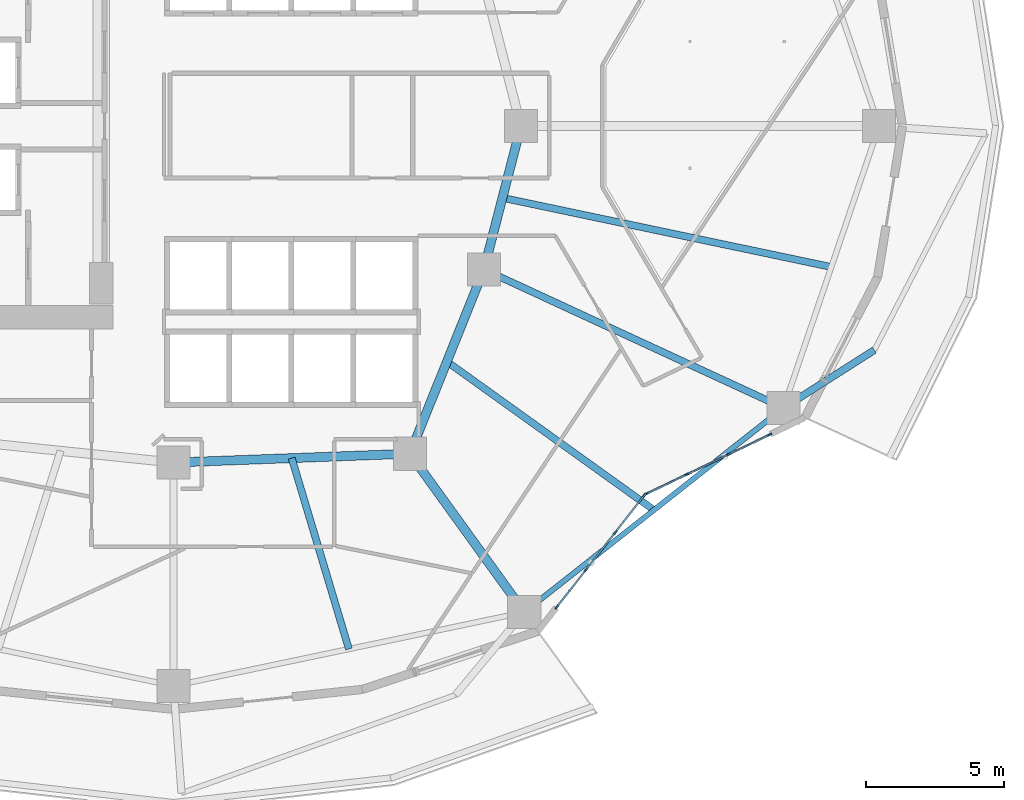
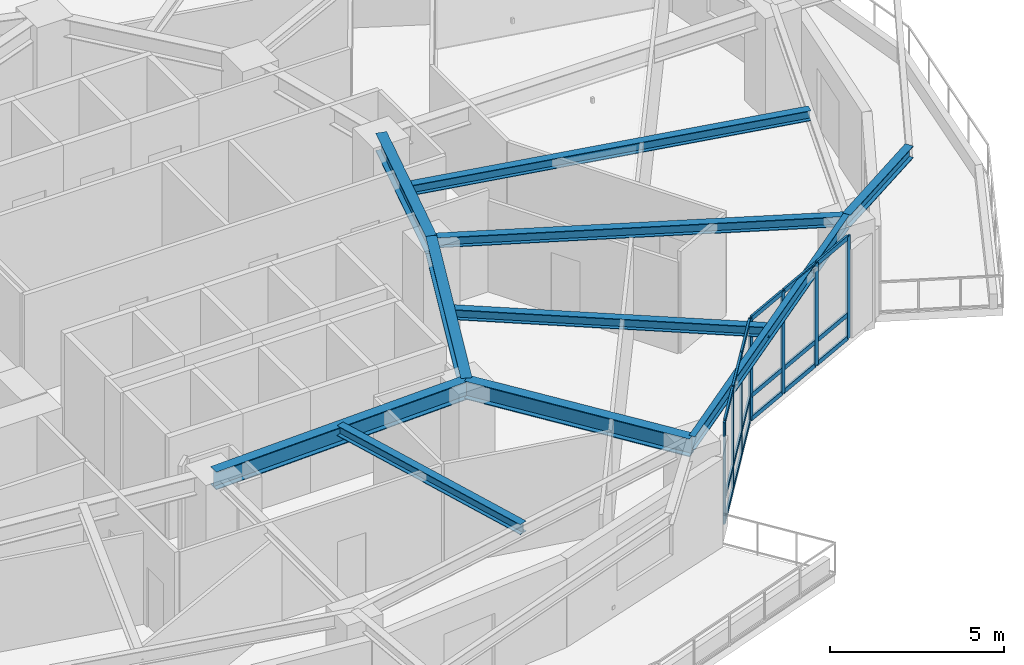
# One storey, part 4 of 18: 26 members, 10 beams, 2 elements without a shape of their own.
"""IFC4 building model written with IfcOpenShell, lengths in metres."""

from ifc_helpers import new_model, si_unit, direction, frame, origin, origin_2d, place, context, subcontext, project, spatial, rectangle, i_section, extrude, material, layer, layer_set, material_profile, profile_set, type_object, element, aggregate, save


model = new_model("IFC4")

# Units and contexts
model_context = context("Model", 3, precision=1e-05, world=origin(), true_north=direction((0.0, 1.0)))
body_context = subcontext(model_context, "Body", "Model", "MODEL_VIEW")
ifc_project = project(units=[si_unit("LENGTHUNIT", "METRE"), si_unit("AREAUNIT", "SQUARE_METRE"), si_unit("VOLUMEUNIT", "CUBIC_METRE"), si_unit("PLANEANGLEUNIT", "RADIAN"), si_unit("MASSUNIT", "GRAM", prefix="KILO")], contexts=[model_context])

# Site, building, storey
site_placement = place(None, origin())
site = spatial("IfcSite", under=ifc_project, at=site_placement, CompositionType="ELEMENT")
building_placement = place(site_placement, origin())
building = spatial("IfcBuilding", under=site, at=building_placement, Name="Kolvaren Gate Tower and Convention Centre", CompositionType="ELEMENT")
storey_placement = place(building_placement, frame((0.0, 0.0, 61.14990234375)))
storey = spatial("IfcBuildingStorey", under=building, at=storey_placement, Name="L14", CompositionType="ELEMENT", Elevation=61.14990234375)

# Curtain wall, members
ifc_material_1 = material(Name="Anodized Architectural Aluminium Alloy 6063-T6", Category="aluminium")
ifc_layer = layer(ifc_material_1, 0.159912109375)
ifc_layer_set = layer_set([ifc_layer], Name="Anodized Architectural Aluminium Alloy 6063-T6")
curtain_wall_type = type_object("IfcCurtainWallType", Name="CW-OFF-UNIT", PredefinedType="NOTDEFINED", material=ifc_layer_set)
curtain_wall_1_placement = place(storey_placement, origin())
curtain_wall_1 = element("IfcCurtainWall", 1, at=curtain_wall_1_placement, inside=storey, type_object=curtain_wall_type, Name="Tower L14 Unitised Curtain Wall CW-OFF-UNIT Bay 20", PredefinedType="NOTDEFINED")
ifc_material_profile_1 = material_profile(ifc_material_1, rectangle(XDim=0.06494140625, YDim=0.159912109375, at=origin_2d()), Name="CW-MEM-MUL-160")
ifc_profile_set_1 = profile_set([ifc_material_profile_1], Name="Anodized Architectural Aluminium Alloy 6063-T6")
member_type_1 = type_object("IfcMemberType", Name="CW-MEM-MUL-160", PredefinedType="MULLION", material=ifc_profile_set_1)
member_1_placement = place(storey_placement, frame((44.027099609375, 9.556396484375, 0.0), z_axis=(0.0, 0.0, 1.0), x_axis=(-0.787406322976, 0.61643432946, 0.0)))
member_1 = element("IfcMember", 2, at=member_1_placement, type_object=member_type_1, Name="CW-02 mullion 1", PredefinedType="MULLION", context=body_context, shape_type="SweptSolid", body=[
    extrude(rectangle(XDim=0.06494140625, YDim=0.159912109375, at=origin_2d()), origin(), (0.0, 0.0, 1.0), 3.570068359375),
])
member_2_placement = place(storey_placement, frame((45.079345703125, 10.900634765625, 0.0), z_axis=(0.0, 0.0, 1.0), x_axis=(-0.787406322976, 0.61643432946, 0.0)))
member_2 = element("IfcMember", 3, at=member_2_placement, type_object=member_type_1, Name="CW-02 mullion 2", PredefinedType="MULLION", context=body_context, shape_type="SweptSolid", body=[
    extrude(rectangle(XDim=0.06494140625, YDim=0.159912109375, at=origin_2d()), origin(), (0.0, 0.0, 1.0), 3.570068359375),
])
member_3_placement = place(storey_placement, frame((46.151611328125, 12.270263671875, 0.0), z_axis=(0.0, 0.0, 1.0), x_axis=(-0.787406322976, 0.61643432946, 0.0)))
member_3 = element("IfcMember", 4, at=member_3_placement, type_object=member_type_1, Name="CW-02 mullion 3", PredefinedType="MULLION", context=body_context, shape_type="SweptSolid", body=[
    extrude(rectangle(XDim=0.06494140625, YDim=0.159912109375, at=origin_2d()), origin(), (0.0, 0.0, 1.0), 3.570068359375),
])
member_4_placement = place(storey_placement, frame((47.203857421875, 13.6142578125, 0.0), z_axis=(0.0, 0.0, 1.0), x_axis=(-0.787406322976, 0.61643432946, 0.0)))
member_4 = element("IfcMember", 5, at=member_4_placement, type_object=member_type_1, Name="CW-02 mullion 4", PredefinedType="MULLION", context=body_context, shape_type="SweptSolid", body=[
    extrude(rectangle(XDim=0.06494140625, YDim=0.159912109375, at=origin_2d()), origin(), (0.0, 0.0, 1.0), 3.570068359375),
])

curtain_wall_2_placement = place(storey_placement, origin())
curtain_wall_2 = element("IfcCurtainWall", 6, at=curtain_wall_2_placement, inside=storey, type_object=curtain_wall_type, Name="Tower L14 Unitised Curtain Wall CW-OFF-UNIT Bay 21", PredefinedType="NOTDEFINED")
member_5_placement = place(storey_placement, frame((47.253173828125, 13.654052734375, 0.0), z_axis=(0.0, 0.0, 1.0), x_axis=(-0.433067077196, 0.901361695796, 0.0)))
member_5 = element("IfcMember", 7, at=member_5_placement, type_object=member_type_1, Name="CW-02 mullion 1", PredefinedType="MULLION", context=body_context, shape_type="SweptSolid", body=[
    extrude(rectangle(XDim=0.06494140625, YDim=0.159912109375, at=origin_2d()), origin(), (0.0, 0.0, 1.0), 3.570068359375),
])
member_6_placement = place(storey_placement, frame((48.7412109375, 14.368896484375, 0.0), z_axis=(0.0, 0.0, 1.0), x_axis=(-0.433067077196, 0.901361695796, 0.0)))
member_6 = element("IfcMember", 8, at=member_6_placement, type_object=member_type_1, Name="CW-02 mullion 2", PredefinedType="MULLION", context=body_context, shape_type="SweptSolid", body=[
    extrude(rectangle(XDim=0.06494140625, YDim=0.159912109375, at=origin_2d()), origin(), (0.0, 0.0, 1.0), 3.570068359375),
])
member_7_placement = place(storey_placement, frame((50.258544921875, 15.097900390625, 0.0), z_axis=(0.0, 0.0, 1.0), x_axis=(-0.433067077196, 0.901361695796, 0.0)))
member_7 = element("IfcMember", 9, at=member_7_placement, type_object=member_type_1, Name="CW-02 mullion 3", PredefinedType="MULLION", context=body_context, shape_type="SweptSolid", body=[
    extrude(rectangle(XDim=0.06494140625, YDim=0.159912109375, at=origin_2d()), origin(), (0.0, 0.0, 1.0), 3.570068359375),
])
member_8_placement = place(storey_placement, frame((51.74658203125, 15.812744140625, 0.0), z_axis=(0.0, 0.0, 1.0), x_axis=(-0.433067077196, 0.901361695796, 0.0)))
member_8 = element("IfcMember", 10, at=member_8_placement, type_object=member_type_1, Name="CW-02 mullion 4", PredefinedType="MULLION", context=body_context, shape_type="SweptSolid", body=[
    extrude(rectangle(XDim=0.06494140625, YDim=0.159912109375, at=origin_2d()), origin(), (0.0, 0.0, 1.0), 3.570068359375),
])

# Member
ifc_material_profile_2 = material_profile(ifc_material_1, rectangle(XDim=0.06494140625, YDim=0.159912109375, at=origin_2d()), Name="CW-MEM-TRN-160")
ifc_profile_set_2 = profile_set([ifc_material_profile_2], Name="Anodized Architectural Aluminium Alloy 6063-T6")
member_type_2 = type_object("IfcMemberType", Name="CW-MEM-TRN-160", PredefinedType="USERDEFINED", material=ifc_profile_set_2)
member_9_placement = place(storey_placement, frame((44.047119140625, 9.58203125, 0.03271484375), z_axis=(0.616428523412, 0.787410868304, 0.0), x_axis=(-0.787410868304, 0.616428523412, 0.0)))
member_9 = element("IfcMember", 11, at=member_9_placement, type_object=member_type_2, Name="CW-02 transom 1.1", ObjectType="TRANSOM", PredefinedType="USERDEFINED", context=body_context, shape_type="SweptSolid", body=[
    extrude(rectangle(XDim=0.06494140625, YDim=0.159912109375, at=origin_2d()), origin(), (0.0, 0.0, 1.0), 1.64208984375),
])

member_10_placement = place(storey_placement, frame((44.047119140625, 9.58203125, 0.85009765625), z_axis=(0.616428523412, 0.787410868304, 0.0), x_axis=(-0.787410868304, 0.616428523412, 0.0)))
member_10 = element("IfcMember", 12, at=member_10_placement, type_object=member_type_2, Name="CW-02 transom 1.2", ObjectType="TRANSOM", PredefinedType="USERDEFINED", context=body_context, shape_type="SweptSolid", body=[
    extrude(rectangle(XDim=0.06494140625, YDim=0.159912109375, at=origin_2d()), origin(), (0.0, 0.0, 1.0), 1.64208984375),
])

member_11_placement = place(storey_placement, frame((44.047119140625, 9.58203125, 3.53759765625), z_axis=(0.616428523412, 0.787410868304, 0.0), x_axis=(-0.787410868304, 0.616428523412, 0.0)))
member_11 = element("IfcMember", 13, at=member_11_placement, type_object=member_type_2, Name="CW-02 transom 1.3", ObjectType="TRANSOM", PredefinedType="USERDEFINED", context=body_context, shape_type="SweptSolid", body=[
    extrude(rectangle(XDim=0.06494140625, YDim=0.159912109375, at=origin_2d()), origin(), (0.0, 0.0, 1.0), 1.64208984375),
])

member_12_placement = place(storey_placement, frame((45.099365234375, 10.92626953125, 0.03271484375), z_axis=(0.616481234943, 0.787369599974, 0.0), x_axis=(-0.787369599974, 0.616481234943, 0.0)))
member_12 = element("IfcMember", 14, at=member_12_placement, type_object=member_type_2, Name="CW-02 transom 2.1", ObjectType="TRANSOM", PredefinedType="USERDEFINED", context=body_context, shape_type="SweptSolid", body=[
    extrude(rectangle(XDim=0.06494140625, YDim=0.159912109375, at=origin_2d()), origin(), (0.0, 0.0, 1.0), 1.67431640625),
])

member_13_placement = place(storey_placement, frame((45.099365234375, 10.92626953125, 0.85009765625), z_axis=(0.616481234943, 0.787369599974, 0.0), x_axis=(-0.787369599974, 0.616481234943, 0.0)))
member_13 = element("IfcMember", 15, at=member_13_placement, type_object=member_type_2, Name="CW-02 transom 2.2", ObjectType="TRANSOM", PredefinedType="USERDEFINED", context=body_context, shape_type="SweptSolid", body=[
    extrude(rectangle(XDim=0.06494140625, YDim=0.159912109375, at=origin_2d()), origin(), (0.0, 0.0, 1.0), 1.67431640625),
])

member_14_placement = place(storey_placement, frame((45.099365234375, 10.92626953125, 3.53759765625), z_axis=(0.616481234943, 0.787369599974, 0.0), x_axis=(-0.787369599974, 0.616481234943, 0.0)))
member_14 = element("IfcMember", 16, at=member_14_placement, type_object=member_type_2, Name="CW-02 transom 2.3", ObjectType="TRANSOM", PredefinedType="USERDEFINED", context=body_context, shape_type="SweptSolid", body=[
    extrude(rectangle(XDim=0.06494140625, YDim=0.159912109375, at=origin_2d()), origin(), (0.0, 0.0, 1.0), 1.67431640625),
])

member_15_placement = place(storey_placement, frame((46.171630859375, 12.2958984375, 0.03271484375), z_axis=(0.61650069609, 0.787354362228, 0.0), x_axis=(-0.787354362228, 0.61650069609, 0.0)))
member_15 = element("IfcMember", 17, at=member_15_placement, type_object=member_type_2, Name="CW-02 transom 3.1", ObjectType="TRANSOM", PredefinedType="USERDEFINED", context=body_context, shape_type="SweptSolid", body=[
    extrude(rectangle(XDim=0.06494140625, YDim=0.159912109375, at=origin_2d()), origin(), (0.0, 0.0, 1.0), 1.641845703125),
])

member_16_placement = place(storey_placement, frame((46.171630859375, 12.2958984375, 0.85009765625), z_axis=(0.61650069609, 0.787354362228, 0.0), x_axis=(-0.787354362228, 0.61650069609, 0.0)))
member_16 = element("IfcMember", 18, at=member_16_placement, type_object=member_type_2, Name="CW-02 transom 3.2", ObjectType="TRANSOM", PredefinedType="USERDEFINED", context=body_context, shape_type="SweptSolid", body=[
    extrude(rectangle(XDim=0.06494140625, YDim=0.159912109375, at=origin_2d()), origin(), (0.0, 0.0, 1.0), 1.641845703125),
])

member_17_placement = place(storey_placement, frame((46.171630859375, 12.2958984375, 3.53759765625), z_axis=(0.61650069609, 0.787354362228, 0.0), x_axis=(-0.787354362228, 0.61650069609, 0.0)))
member_17 = element("IfcMember", 19, at=member_17_placement, type_object=member_type_2, Name="CW-02 transom 3.3", ObjectType="TRANSOM", PredefinedType="USERDEFINED", context=body_context, shape_type="SweptSolid", body=[
    extrude(rectangle(XDim=0.06494140625, YDim=0.159912109375, at=origin_2d()), origin(), (0.0, 0.0, 1.0), 1.641845703125),
])

aggregate(curtain_wall_1, [member_1, member_2, member_3, member_4, member_9, member_10, member_11, member_12, member_13, member_14, member_15, member_16, member_17])

member_18_placement = place(storey_placement, frame((47.282470703125, 13.66796875, 0.03271484375), z_axis=(0.90136684843, 0.433056352628, 0.0), x_axis=(-0.433056352628, 0.90136684843, 0.0)))
member_18 = element("IfcMember", 20, at=member_18_placement, type_object=member_type_2, Name="CW-02 transom 1.1", ObjectType="TRANSOM", PredefinedType="USERDEFINED", context=body_context, shape_type="SweptSolid", body=[
    extrude(rectangle(XDim=0.06494140625, YDim=0.159912109375, at=origin_2d()), origin(), (0.0, 0.0, 1.0), 1.5859375),
])

member_19_placement = place(storey_placement, frame((47.282470703125, 13.66796875, 0.85009765625), z_axis=(0.90136684843, 0.433056352628, 0.0), x_axis=(-0.433056352628, 0.90136684843, 0.0)))
member_19 = element("IfcMember", 21, at=member_19_placement, type_object=member_type_2, Name="CW-02 transom 1.2", ObjectType="TRANSOM", PredefinedType="USERDEFINED", context=body_context, shape_type="SweptSolid", body=[
    extrude(rectangle(XDim=0.06494140625, YDim=0.159912109375, at=origin_2d()), origin(), (0.0, 0.0, 1.0), 1.5859375),
])

member_20_placement = place(storey_placement, frame((47.282470703125, 13.66796875, 3.53759765625), z_axis=(0.90136684843, 0.433056352628, 0.0), x_axis=(-0.433056352628, 0.90136684843, 0.0)))
member_20 = element("IfcMember", 22, at=member_20_placement, type_object=member_type_2, Name="CW-02 transom 1.3", ObjectType="TRANSOM", PredefinedType="USERDEFINED", context=body_context, shape_type="SweptSolid", body=[
    extrude(rectangle(XDim=0.06494140625, YDim=0.159912109375, at=origin_2d()), origin(), (0.0, 0.0, 1.0), 1.5859375),
])

member_21_placement = place(storey_placement, frame((48.7705078125, 14.383056640625, 0.03271484375), z_axis=(0.901405315808, 0.432976277217, 0.0), x_axis=(-0.432976277217, 0.901405315808, 0.0)))
member_21 = element("IfcMember", 23, at=member_21_placement, type_object=member_type_2, Name="CW-02 transom 2.1", ObjectType="TRANSOM", PredefinedType="USERDEFINED", context=body_context, shape_type="SweptSolid", body=[
    extrude(rectangle(XDim=0.06494140625, YDim=0.159912109375, at=origin_2d()), origin(), (0.0, 0.0, 1.0), 1.618408203125),
])

member_22_placement = place(storey_placement, frame((48.7705078125, 14.383056640625, 0.85009765625), z_axis=(0.901405315808, 0.432976277217, 0.0), x_axis=(-0.432976277217, 0.901405315808, 0.0)))
member_22 = element("IfcMember", 24, at=member_22_placement, type_object=member_type_2, Name="CW-02 transom 2.2", ObjectType="TRANSOM", PredefinedType="USERDEFINED", context=body_context, shape_type="SweptSolid", body=[
    extrude(rectangle(XDim=0.06494140625, YDim=0.159912109375, at=origin_2d()), origin(), (0.0, 0.0, 1.0), 1.618408203125),
])

member_23_placement = place(storey_placement, frame((48.7705078125, 14.383056640625, 3.53759765625), z_axis=(0.901405315808, 0.432976277217, 0.0), x_axis=(-0.432976277217, 0.901405315808, 0.0)))
member_23 = element("IfcMember", 25, at=member_23_placement, type_object=member_type_2, Name="CW-02 transom 2.3", ObjectType="TRANSOM", PredefinedType="USERDEFINED", context=body_context, shape_type="SweptSolid", body=[
    extrude(rectangle(XDim=0.06494140625, YDim=0.159912109375, at=origin_2d()), origin(), (0.0, 0.0, 1.0), 1.618408203125),
])

member_24_placement = place(storey_placement, frame((50.287841796875, 15.112060546875, 0.03271484375), z_axis=(0.90136684843, 0.433056352628, 0.0), x_axis=(-0.433056352628, 0.90136684843, 0.0)))
member_24 = element("IfcMember", 26, at=member_24_placement, type_object=member_type_2, Name="CW-02 transom 3.1", ObjectType="TRANSOM", PredefinedType="USERDEFINED", context=body_context, shape_type="SweptSolid", body=[
    extrude(rectangle(XDim=0.06494140625, YDim=0.159912109375, at=origin_2d()), origin(), (0.0, 0.0, 1.0), 1.5859375),
])

member_25_placement = place(storey_placement, frame((50.287841796875, 15.112060546875, 0.85009765625), z_axis=(0.90136684843, 0.433056352628, 0.0), x_axis=(-0.433056352628, 0.90136684843, 0.0)))
member_25 = element("IfcMember", 27, at=member_25_placement, type_object=member_type_2, Name="CW-02 transom 3.2", ObjectType="TRANSOM", PredefinedType="USERDEFINED", context=body_context, shape_type="SweptSolid", body=[
    extrude(rectangle(XDim=0.06494140625, YDim=0.159912109375, at=origin_2d()), origin(), (0.0, 0.0, 1.0), 1.5859375),
])

member_26_placement = place(storey_placement, frame((50.287841796875, 15.112060546875, 3.53759765625), z_axis=(0.90136684843, 0.433056352628, 0.0), x_axis=(-0.433056352628, 0.90136684843, 0.0)))
member_26 = element("IfcMember", 28, at=member_26_placement, type_object=member_type_2, Name="CW-02 transom 3.3", ObjectType="TRANSOM", PredefinedType="USERDEFINED", context=body_context, shape_type="SweptSolid", body=[
    extrude(rectangle(XDim=0.06494140625, YDim=0.159912109375, at=origin_2d()), origin(), (0.0, 0.0, 1.0), 1.5859375),
])

aggregate(curtain_wall_2, [member_5, member_6, member_7, member_8, member_18, member_19, member_20, member_21, member_22, member_23, member_24, member_25, member_26])

# Beams
ifc_material_2 = material(Name="Structural steel ASTM A992 Grade 345 MPa", Category="steel")
ifc_material_profile_3 = material_profile(ifc_material_2, i_section(OverallWidth=0.260009765625, OverallDepth=0.419921875, WebThickness=0.013427734375, FlangeThickness=0.0224609375, at=origin_2d()), Name="W410X132")
ifc_profile_set_3 = profile_set([ifc_material_profile_3], Name="Structural steel ASTM A992 Grade 345 MPa")
beam_type_1 = type_object("IfcBeamType", Name="STR-BM-W410X132", PredefinedType="BEAM", material=ifc_profile_set_3)
beam_1_placement = place(storey_placement, frame((52.248779296875, 16.781494140625, 3.360595703125), z_axis=(0.843548050681, 0.537053708853, 0.0), x_axis=(-0.537053708853, 0.843548050681, 0.0)))
element("IfcBeam", 29, at=beam_1_placement, inside=storey, type_object=beam_type_1, Name="Tower L15 Planted Balcony Outrigger Cantilever BC-4A", PredefinedType="BEAM", context=body_context, shape_type="SweptSolid", body=[
    extrude(i_section(OverallWidth=0.260009765625, OverallDepth=0.419921875, WebThickness=0.013427734375, FlangeThickness=0.0224609375, at=origin_2d()), origin(), (0.0, 0.0, 1.0), 3.89990234375),
])
ifc_material_profile_4 = material_profile(ifc_material_2, i_section(OverallWidth=0.327880859375, OverallDepth=0.6279296875, WebThickness=0.0166015625, FlangeThickness=0.027587890625, at=origin_2d()), Name="W610X217")
ifc_profile_set_4 = profile_set([ifc_material_profile_4], Name="Structural steel ASTM A992 Grade 345 MPa")
beam_type_2 = type_object("IfcBeamType", Name="STR-BM-W610X217", PredefinedType="BEAM", material=ifc_profile_set_4)
beam_2_placement = place(storey_placement, frame((42.72509765625, 27.0, 3.256103515625), z_axis=(-0.250091133936, -0.968222301296, 0.0), x_axis=(0.968222301296, -0.250091133936, 0.0)))
element("IfcBeam", 30, at=beam_2_placement, inside=storey, type_object=beam_type_2, Name="Tower L14 Primary Ring Girder G-01", PredefinedType="BEAM", context=body_context, shape_type="SweptSolid", body=[
    extrude(i_section(OverallWidth=0.327880859375, OverallDepth=0.6279296875, WebThickness=0.0166015625, FlangeThickness=0.027587890625, at=origin_2d()), origin(), (0.0, 0.0, 1.0), 5.3701171875),
])
beam_3_placement = place(storey_placement, frame((30.125, 14.800048828125, 3.256103515625), z_axis=(0.999301712453, 0.037364254142, 0.0), x_axis=(-0.037364254142, 0.999301712453, 0.0)))
element("IfcBeam", 31, at=beam_3_placement, inside=storey, type_object=beam_type_2, Name="Tower L14 Primary Ring Girder G-08", PredefinedType="BEAM", context=body_context, shape_type="SweptSolid", body=[
    extrude(i_section(OverallWidth=0.327880859375, OverallDepth=0.6279296875, WebThickness=0.0166015625, FlangeThickness=0.027587890625, at=origin_2d()), origin(), (0.0, 0.0, 1.0), 8.579345703125),
])
beam_4_placement = place(storey_placement, frame((38.6982421875, 15.12060546875, 3.256103515625), z_axis=(0.372811100169, 0.927907260232, 0.0), x_axis=(-0.927907260232, 0.372811100169, 0.0)))
element("IfcBeam", 32, at=beam_4_placement, inside=storey, type_object=beam_type_2, Name="Tower L14 Primary Ring Girder G-09", PredefinedType="BEAM", context=body_context, shape_type="SweptSolid", body=[
    extrude(i_section(OverallWidth=0.327880859375, OverallDepth=0.6279296875, WebThickness=0.0166015625, FlangeThickness=0.027587890625, at=origin_2d()), origin(), (0.0, 0.0, 1.0), 7.198974609375),
])
beam_5_placement = place(storey_placement, frame((38.6982421875, 15.12060546875, 3.256103515625), z_axis=(0.585212604054, -0.81087989743, 0.0), x_axis=(0.81087989743, 0.585212604054, 0.0)))
element("IfcBeam", 33, at=beam_5_placement, inside=storey, type_object=beam_type_2, Name="Tower L14 Radial Floor Girder RB-11", PredefinedType="BEAM", context=body_context, shape_type="SweptSolid", body=[
    extrude(i_section(OverallWidth=0.327880859375, OverallDepth=0.6279296875, WebThickness=0.0166015625, FlangeThickness=0.027587890625, at=origin_2d()), origin(), (0.0, 0.0, 1.0), 7.08837890625),
])
ifc_material_profile_5 = material_profile(ifc_material_2, i_section(OverallWidth=0.2548828125, OverallDepth=0.35693359375, WebThickness=0.010498046875, FlangeThickness=0.018310546875, at=origin_2d()), Name="W360X101")
ifc_profile_set_5 = profile_set([ifc_material_profile_5], Name="Structural steel ASTM A992 Grade 345 MPa")
beam_type_3 = type_object("IfcBeamType", Name="STR-JS-W360X101", PredefinedType="JOIST", material=ifc_profile_set_5)
beam_6_placement = place(storey_placement, frame((41.382080078125, 21.800537109375, 3.3916015625), z_axis=(0.907843538102, -0.419309086864, 0.0), x_axis=(0.419309086864, 0.907843538102, 0.0)))
element("IfcBeam", 34, at=beam_6_placement, inside=storey, type_object=beam_type_3, Name="Tower L14 Radial Floor Girder RB-12", PredefinedType="JOIST", context=body_context, shape_type="SweptSolid", body=[
    extrude(i_section(OverallWidth=0.2548828125, OverallDepth=0.35693359375, WebThickness=0.010498046875, FlangeThickness=0.018310546875, at=origin_2d()), origin(), (0.0, 0.0, 1.0), 11.9697265625),
])
beam_7_placement = place(storey_placement, frame((34.41162109375, 14.960205078125, 3.3916015625), z_axis=(0.286954287166, -0.957944276603, 0.0), x_axis=(0.957944276603, 0.286954287166, 0.0)))
element("IfcBeam", 35, at=beam_7_placement, inside=storey, type_object=beam_type_3, Name="Tower L14 Secondary Composite Floor Joist J-10.1", PredefinedType="JOIST", context=body_context, shape_type="SweptSolid", body=[
    extrude(i_section(OverallWidth=0.2548828125, OverallDepth=0.35693359375, WebThickness=0.010498046875, FlangeThickness=0.018310546875, at=origin_2d()), origin(), (0.0, 0.0, 1.0), 7.2275390625),
])
beam_8_placement = place(storey_placement, frame((40.040283203125, 18.46044921875, 3.3916015625), z_axis=(0.812660683761, -0.582737173234, 0.0), x_axis=(0.582737173234, 0.812660683761, 0.0)))
element("IfcBeam", 36, at=beam_8_placement, inside=storey, type_object=beam_type_3, Name="Tower L14 Secondary Composite Floor Joist J-11.1", PredefinedType="JOIST", context=body_context, shape_type="SweptSolid", body=[
    extrude(i_section(OverallWidth=0.2548828125, OverallDepth=0.35693359375, WebThickness=0.010498046875, FlangeThickness=0.018310546875, at=origin_2d()), origin(), (0.0, 0.0, 1.0), 9.238037109375),
])
beam_9_placement = place(storey_placement, frame((42.0537109375, 24.400146484375, 3.3916015625), z_axis=(0.978573369431, -0.205898423114, 0.0), x_axis=(0.205898423114, 0.978573369431, 0.0)))
element("IfcBeam", 37, at=beam_9_placement, inside=storey, type_object=beam_type_3, Name="Tower L14 Secondary Composite Floor Joist J-12.1", PredefinedType="JOIST", context=body_context, shape_type="SweptSolid", body=[
    extrude(i_section(OverallWidth=0.2548828125, OverallDepth=0.35693359375, WebThickness=0.010498046875, FlangeThickness=0.018310546875, at=origin_2d()), origin(), (0.0, 0.0, 1.0), 12.188232421875),
])
ifc_material_profile_6 = material_profile(ifc_material_2, i_section(OverallWidth=0.194091796875, OverallDepth=0.468994140625, WebThickness=0.0126953125, FlangeThickness=0.0205078125, at=origin_2d()), Name="W460X106")
ifc_profile_set_6 = profile_set([ifc_material_profile_6], Name="Structural steel ASTM A992 Grade 345 MPa")
beam_type_4 = type_object("IfcBeamType", Name="STR-SP-W460X106", PredefinedType="SPANDREL", material=ifc_profile_set_6)
beam_10_placement = place(storey_placement, frame((42.846435546875, 9.372802734375, 3.335693359375), z_axis=(0.785459824636, 0.618912646407, 0.0), x_axis=(-0.618912646407, 0.785459824636, 0.0)))
element("IfcBeam", 38, at=beam_10_placement, inside=storey, type_object=beam_type_4, Name="Tower L14 Perimeter Spandrel Beam SP-11", PredefinedType="SPANDREL", context=body_context, shape_type="SweptSolid", body=[
    extrude(i_section(OverallWidth=0.194091796875, OverallDepth=0.468994140625, WebThickness=0.0126953125, FlangeThickness=0.0205078125, at=origin_2d()), origin(), (0.0, 0.0, 1.0), 11.970458984375),
])

save(model, "model.ifc")
